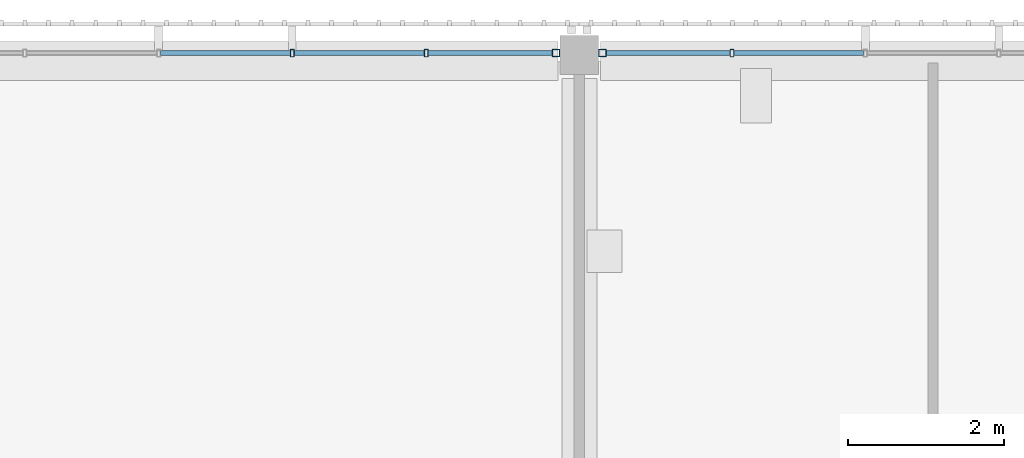
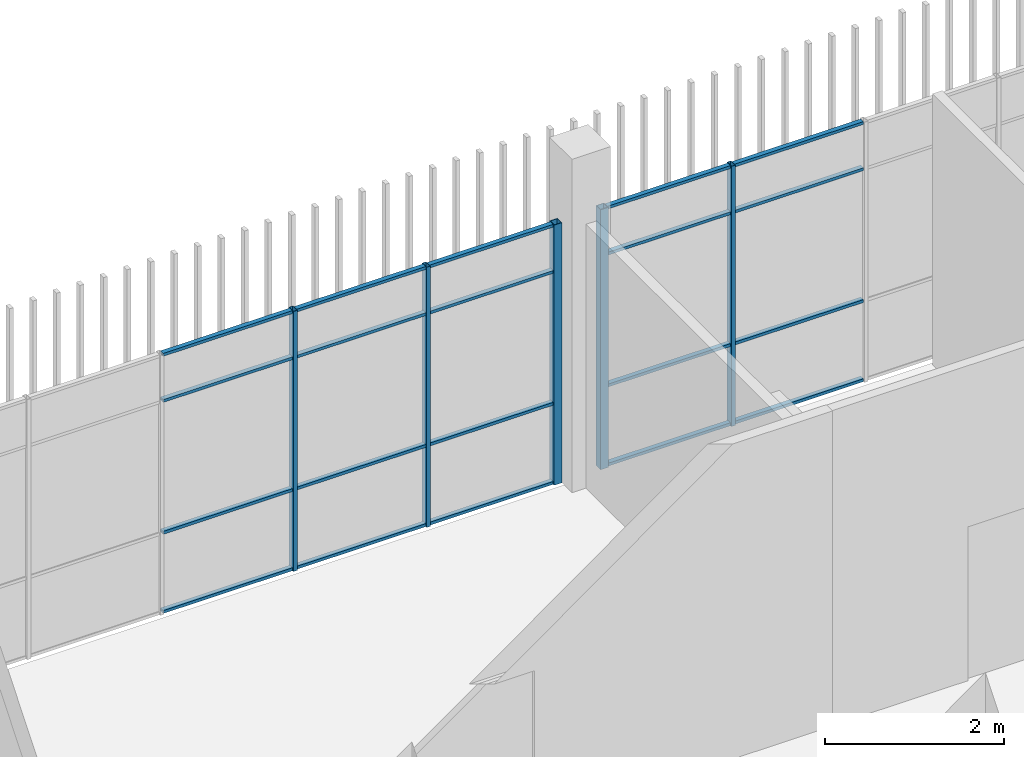
# One storey, part 50 of 139: 25 members, 2 elements without a shape of their own.
"""IFC4 building model written with IfcOpenShell, lengths in metres."""

from ifc_helpers import new_model, si_unit, direction, frame, origin, origin_2d, place, context, subcontext, project, spatial, hollow_rectangle, extrude, material, layer, layer_set, material_profile, profile_set, type_object, element, aggregate, save


model = new_model("IFC4")

# Units and contexts
model_context = context("Model", 3, precision=1e-05, world=origin(), true_north=direction((0.0, 1.0)))
body_context = subcontext(model_context, "Body", "Model", "MODEL_VIEW")
ifc_project = project(units=[si_unit("LENGTHUNIT", "METRE"), si_unit("AREAUNIT", "SQUARE_METRE"), si_unit("VOLUMEUNIT", "CUBIC_METRE"), si_unit("PLANEANGLEUNIT", "RADIAN"), si_unit("MASSUNIT", "GRAM", prefix="KILO")], contexts=[model_context])

# Site, building, storey
site_placement = place(None, origin())
site = spatial("IfcSite", under=ifc_project, at=site_placement, CompositionType="ELEMENT")
building_placement = place(site_placement, origin())
building = spatial("IfcBuilding", under=site, at=building_placement, Name="Shirokan Park Arena", CompositionType="ELEMENT")
storey_placement = place(building_placement, frame((0.0, 0.0, 15.469970703125)))
storey = spatial("IfcBuildingStorey", under=building, at=storey_placement, Name="L03", CompositionType="ELEMENT", Elevation=15.469970703125)

# Curtain wall, member
ifc_material_1 = material(Name="Steel and glass curtain wall", Category="steel")
ifc_layer = layer(ifc_material_1, 0.10009765625)
ifc_layer_set = layer_set([ifc_layer], Name="Steel and glass curtain wall 100 mm")
curtain_wall_type = type_object("IfcCurtainWallType", Name="Curtain wall sheltered bay 100", PredefinedType="NOTDEFINED", material=ifc_layer_set)
curtain_wall_1_placement = place(storey_placement, origin())
curtain_wall_1 = element("IfcCurtainWall", 1, at=curtain_wall_1_placement, inside=storey, type_object=curtain_wall_type, Name="Curtain wall north bay 5 L03", PredefinedType="NOTDEFINED")
ifc_material_2 = material(Name="Steel S355", Category="steel")
ifc_material_profile_1 = material_profile(ifc_material_2, hollow_rectangle(XDim=0.10009765625, YDim=0.10009765625, WallThickness=0.006103515625, at=origin_2d()), Name="RHS 100x100x6")
ifc_profile_set_1 = profile_set([ifc_material_profile_1], Name="Steel S355")
member_type_1 = type_object("IfcMemberType", Name="Mullion RHS 100x100x6", PredefinedType="MULLION", material=ifc_profile_set_1)
member_1_placement = place(storey_placement, frame((100.39990234375, 109.300048828125, 0.0), z_axis=(0.0, 0.0, 1.0), x_axis=(0.0, -1.0, 0.0)))
member_1 = element("IfcMember", 2, at=member_1_placement, type_object=member_type_1, Name="CW2 mullion 6", PredefinedType="MULLION", context=body_context, shape_type="SweptSolid", body=[
    extrude(hollow_rectangle(XDim=0.10009765625, YDim=0.10009765625, WallThickness=0.006103515625, at=origin_2d()), origin(), (0.0, 0.0, 1.0), 3.550048828125),
])

curtain_wall_2_placement = place(storey_placement, origin())
curtain_wall_2 = element("IfcCurtainWall", 3, at=curtain_wall_2_placement, inside=storey, type_object=curtain_wall_type, Name="Curtain wall north bay 6 L03", PredefinedType="NOTDEFINED")
member_2_placement = place(storey_placement, frame((99.800048828125, 109.300048828125, 0.0), z_axis=(0.0, 0.0, 1.0), x_axis=(0.0, -1.0, 0.0)))
member_2 = element("IfcMember", 4, at=member_2_placement, type_object=member_type_1, Name="CW2 mullion 1", PredefinedType="MULLION", context=body_context, shape_type="SweptSolid", body=[
    extrude(hollow_rectangle(XDim=0.10009765625, YDim=0.10009765625, WallThickness=0.006103515625, at=origin_2d()), origin(), (0.0, 0.0, 1.0), 3.550048828125),
])

# Member
ifc_material_profile_2 = material_profile(ifc_material_2, hollow_rectangle(XDim=0.10009765625, YDim=0.050048828125, WallThickness=0.0048828125, at=origin_2d()), Name="RHS 100x50x5")
ifc_profile_set_2 = profile_set([ifc_material_profile_2], Name="Steel S355")
member_type_2 = type_object("IfcMemberType", Name="Mullion RHS 100x50x5", PredefinedType="MULLION", material=ifc_profile_set_2)
member_3_placement = place(storey_placement, frame((102.06494140625, 109.300048828125, 0.0), z_axis=(0.0, 0.0, 1.0), x_axis=(0.0, -1.0, 0.0)))
member_3 = element("IfcMember", 5, at=member_3_placement, type_object=member_type_2, Name="CW2 mullion 5", PredefinedType="MULLION", context=body_context, shape_type="SweptSolid", body=[
    extrude(hollow_rectangle(XDim=0.10009765625, YDim=0.050048828125, WallThickness=0.0048828125, at=origin_2d()), origin(), (0.0, 0.0, 1.0), 3.550048828125),
])

member_4_placement = place(storey_placement, frame((98.1298828125, 109.300048828125, 0.0), z_axis=(0.0, 0.0, 1.0), x_axis=(0.0, -1.0, 0.0)))
member_4 = element("IfcMember", 6, at=member_4_placement, type_object=member_type_2, Name="CW2 mullion 2", PredefinedType="MULLION", context=body_context, shape_type="SweptSolid", body=[
    extrude(hollow_rectangle(XDim=0.10009765625, YDim=0.050048828125, WallThickness=0.0048828125, at=origin_2d()), origin(), (0.0, 0.0, 1.0), 3.550048828125),
])

member_5_placement = place(storey_placement, frame((96.409912109375, 109.300048828125, 0.0), z_axis=(0.0, 0.0, 1.0), x_axis=(0.0, -1.0, 0.0)))
member_5 = element("IfcMember", 7, at=member_5_placement, type_object=member_type_2, Name="CW2 mullion 3", PredefinedType="MULLION", context=body_context, shape_type="SweptSolid", body=[
    extrude(hollow_rectangle(XDim=0.10009765625, YDim=0.050048828125, WallThickness=0.0048828125, at=origin_2d()), origin(), (0.0, 0.0, 1.0), 3.550048828125),
])

ifc_material_profile_3 = material_profile(ifc_material_2, hollow_rectangle(XDim=0.06005859375, YDim=0.0400390625, WallThickness=0.00390625, at=origin_2d()), Name="RHS 60x40x4")
ifc_profile_set_3 = profile_set([ifc_material_profile_3], Name="Steel S355")
member_type_3 = type_object("IfcMemberType", Name="Transom RHS 60x40x4", PredefinedType="MULLION", material=ifc_profile_set_3)
member_6_placement = place(storey_placement, frame((103.7548828125, 109.300048828125, 0.02001953125), z_axis=(-1.0, 0.0, 0.0), x_axis=(0.0, -1.0, 0.0)))
member_6 = element("IfcMember", 8, at=member_6_placement, type_object=member_type_3, Name="CW2 transom 4.1", PredefinedType="MULLION", context=body_context, shape_type="SweptSolid", body=[
    extrude(hollow_rectangle(XDim=0.06005859375, YDim=0.0400390625, WallThickness=0.00390625, at=origin_2d()), origin(), (0.0, 0.0, 1.0), 1.664794921875),
])

member_7_placement = place(storey_placement, frame((103.7548828125, 109.300048828125, 1.10009765625), z_axis=(-1.0, 0.0, 0.0), x_axis=(0.0, -1.0, 0.0)))
member_7 = element("IfcMember", 9, at=member_7_placement, type_object=member_type_3, Name="CW2 transom 4.2", PredefinedType="MULLION", context=body_context, shape_type="SweptSolid", body=[
    extrude(hollow_rectangle(XDim=0.06005859375, YDim=0.0400390625, WallThickness=0.00390625, at=origin_2d()), origin(), (0.0, 0.0, 1.0), 1.664794921875),
])

member_8_placement = place(storey_placement, frame((103.7548828125, 109.300048828125, 2.900146484375), z_axis=(-1.0, 0.0, 0.0), x_axis=(0.0, -1.0, 0.0)))
member_8 = element("IfcMember", 10, at=member_8_placement, type_object=member_type_3, Name="CW2 transom 4.3", PredefinedType="MULLION", context=body_context, shape_type="SweptSolid", body=[
    extrude(hollow_rectangle(XDim=0.06005859375, YDim=0.0400390625, WallThickness=0.00390625, at=origin_2d()), origin(), (0.0, 0.0, 1.0), 1.664794921875),
])

member_9_placement = place(storey_placement, frame((103.7548828125, 109.300048828125, 3.530029296875), z_axis=(-1.0, 0.0, 0.0), x_axis=(0.0, -1.0, 0.0)))
member_9 = element("IfcMember", 11, at=member_9_placement, type_object=member_type_3, Name="CW2 transom 4.4", PredefinedType="MULLION", context=body_context, shape_type="SweptSolid", body=[
    extrude(hollow_rectangle(XDim=0.06005859375, YDim=0.0400390625, WallThickness=0.00390625, at=origin_2d()), origin(), (0.0, 0.0, 1.0), 1.664794921875),
])

member_10_placement = place(storey_placement, frame((102.0400390625, 109.300048828125, 0.02001953125), z_axis=(-1.0, 0.0, 0.0), x_axis=(0.0, -1.0, 0.0)))
member_10 = element("IfcMember", 12, at=member_10_placement, type_object=member_type_3, Name="CW2 transom 5.1", PredefinedType="MULLION", context=body_context, shape_type="SweptSolid", body=[
    extrude(hollow_rectangle(XDim=0.06005859375, YDim=0.0400390625, WallThickness=0.00390625, at=origin_2d()), origin(), (0.0, 0.0, 1.0), 1.590087890625),
])

member_11_placement = place(storey_placement, frame((102.0400390625, 109.300048828125, 1.10009765625), z_axis=(-1.0, 0.0, 0.0), x_axis=(0.0, -1.0, 0.0)))
member_11 = element("IfcMember", 13, at=member_11_placement, type_object=member_type_3, Name="CW2 transom 5.2", PredefinedType="MULLION", context=body_context, shape_type="SweptSolid", body=[
    extrude(hollow_rectangle(XDim=0.06005859375, YDim=0.0400390625, WallThickness=0.00390625, at=origin_2d()), origin(), (0.0, 0.0, 1.0), 1.590087890625),
])

member_12_placement = place(storey_placement, frame((102.0400390625, 109.300048828125, 2.900146484375), z_axis=(-1.0, 0.0, 0.0), x_axis=(0.0, -1.0, 0.0)))
member_12 = element("IfcMember", 14, at=member_12_placement, type_object=member_type_3, Name="CW2 transom 5.3", PredefinedType="MULLION", context=body_context, shape_type="SweptSolid", body=[
    extrude(hollow_rectangle(XDim=0.06005859375, YDim=0.0400390625, WallThickness=0.00390625, at=origin_2d()), origin(), (0.0, 0.0, 1.0), 1.590087890625),
])

member_13_placement = place(storey_placement, frame((102.0400390625, 109.300048828125, 3.530029296875), z_axis=(-1.0, 0.0, 0.0), x_axis=(0.0, -1.0, 0.0)))
member_13 = element("IfcMember", 15, at=member_13_placement, type_object=member_type_3, Name="CW2 transom 5.4", PredefinedType="MULLION", context=body_context, shape_type="SweptSolid", body=[
    extrude(hollow_rectangle(XDim=0.06005859375, YDim=0.0400390625, WallThickness=0.00390625, at=origin_2d()), origin(), (0.0, 0.0, 1.0), 1.590087890625),
])

aggregate(curtain_wall_1, [member_3, member_1, member_6, member_7, member_8, member_9, member_10, member_11, member_12, member_13])

member_14_placement = place(storey_placement, frame((99.75, 109.300048828125, 0.02001953125), z_axis=(-1.0, 0.0, 0.0), x_axis=(0.0, -1.0, 0.0)))
member_14 = element("IfcMember", 16, at=member_14_placement, type_object=member_type_3, Name="CW2 transom 1.1", PredefinedType="MULLION", context=body_context, shape_type="SweptSolid", body=[
    extrude(hollow_rectangle(XDim=0.06005859375, YDim=0.0400390625, WallThickness=0.00390625, at=origin_2d()), origin(), (0.0, 0.0, 1.0), 1.594970703125),
])

member_15_placement = place(storey_placement, frame((99.75, 109.300048828125, 1.10009765625), z_axis=(-1.0, 0.0, 0.0), x_axis=(0.0, -1.0, 0.0)))
member_15 = element("IfcMember", 17, at=member_15_placement, type_object=member_type_3, Name="CW2 transom 1.2", PredefinedType="MULLION", context=body_context, shape_type="SweptSolid", body=[
    extrude(hollow_rectangle(XDim=0.06005859375, YDim=0.0400390625, WallThickness=0.00390625, at=origin_2d()), origin(), (0.0, 0.0, 1.0), 1.594970703125),
])

member_16_placement = place(storey_placement, frame((99.75, 109.300048828125, 2.900146484375), z_axis=(-1.0, 0.0, 0.0), x_axis=(0.0, -1.0, 0.0)))
member_16 = element("IfcMember", 18, at=member_16_placement, type_object=member_type_3, Name="CW2 transom 1.3", PredefinedType="MULLION", context=body_context, shape_type="SweptSolid", body=[
    extrude(hollow_rectangle(XDim=0.06005859375, YDim=0.0400390625, WallThickness=0.00390625, at=origin_2d()), origin(), (0.0, 0.0, 1.0), 1.594970703125),
])

member_17_placement = place(storey_placement, frame((99.75, 109.300048828125, 3.530029296875), z_axis=(-1.0, 0.0, 0.0), x_axis=(0.0, -1.0, 0.0)))
member_17 = element("IfcMember", 19, at=member_17_placement, type_object=member_type_3, Name="CW2 transom 1.4", PredefinedType="MULLION", context=body_context, shape_type="SweptSolid", body=[
    extrude(hollow_rectangle(XDim=0.06005859375, YDim=0.0400390625, WallThickness=0.00390625, at=origin_2d()), origin(), (0.0, 0.0, 1.0), 1.594970703125),
])

member_18_placement = place(storey_placement, frame((98.10498046875, 109.300048828125, 0.02001953125), z_axis=(-1.0, 0.0, 0.0), x_axis=(0.0, -1.0, 0.0)))
member_18 = element("IfcMember", 20, at=member_18_placement, type_object=member_type_3, Name="CW2 transom 2.1", PredefinedType="MULLION", context=body_context, shape_type="SweptSolid", body=[
    extrude(hollow_rectangle(XDim=0.06005859375, YDim=0.0400390625, WallThickness=0.00390625, at=origin_2d()), origin(), (0.0, 0.0, 1.0), 1.669921875),
])

member_19_placement = place(storey_placement, frame((98.10498046875, 109.300048828125, 1.10009765625), z_axis=(-1.0, 0.0, 0.0), x_axis=(0.0, -1.0, 0.0)))
member_19 = element("IfcMember", 21, at=member_19_placement, type_object=member_type_3, Name="CW2 transom 2.2", PredefinedType="MULLION", context=body_context, shape_type="SweptSolid", body=[
    extrude(hollow_rectangle(XDim=0.06005859375, YDim=0.0400390625, WallThickness=0.00390625, at=origin_2d()), origin(), (0.0, 0.0, 1.0), 1.669921875),
])

member_20_placement = place(storey_placement, frame((98.10498046875, 109.300048828125, 2.900146484375), z_axis=(-1.0, 0.0, 0.0), x_axis=(0.0, -1.0, 0.0)))
member_20 = element("IfcMember", 22, at=member_20_placement, type_object=member_type_3, Name="CW2 transom 2.3", PredefinedType="MULLION", context=body_context, shape_type="SweptSolid", body=[
    extrude(hollow_rectangle(XDim=0.06005859375, YDim=0.0400390625, WallThickness=0.00390625, at=origin_2d()), origin(), (0.0, 0.0, 1.0), 1.669921875),
])

member_21_placement = place(storey_placement, frame((98.10498046875, 109.300048828125, 3.530029296875), z_axis=(-1.0, 0.0, 0.0), x_axis=(0.0, -1.0, 0.0)))
member_21 = element("IfcMember", 23, at=member_21_placement, type_object=member_type_3, Name="CW2 transom 2.4", PredefinedType="MULLION", context=body_context, shape_type="SweptSolid", body=[
    extrude(hollow_rectangle(XDim=0.06005859375, YDim=0.0400390625, WallThickness=0.00390625, at=origin_2d()), origin(), (0.0, 0.0, 1.0), 1.669921875),
])

member_22_placement = place(storey_placement, frame((96.385009765625, 109.300048828125, 0.02001953125), z_axis=(-1.0, 0.0, 0.0), x_axis=(0.0, -1.0, 0.0)))
member_22 = element("IfcMember", 24, at=member_22_placement, type_object=member_type_3, Name="CW2 transom 3.1", PredefinedType="MULLION", context=body_context, shape_type="SweptSolid", body=[
    extrude(hollow_rectangle(XDim=0.06005859375, YDim=0.0400390625, WallThickness=0.00390625, at=origin_2d()), origin(), (0.0, 0.0, 1.0), 1.669921875),
])

member_23_placement = place(storey_placement, frame((96.385009765625, 109.300048828125, 1.10009765625), z_axis=(-1.0, 0.0, 0.0), x_axis=(0.0, -1.0, 0.0)))
member_23 = element("IfcMember", 25, at=member_23_placement, type_object=member_type_3, Name="CW2 transom 3.2", PredefinedType="MULLION", context=body_context, shape_type="SweptSolid", body=[
    extrude(hollow_rectangle(XDim=0.06005859375, YDim=0.0400390625, WallThickness=0.00390625, at=origin_2d()), origin(), (0.0, 0.0, 1.0), 1.669921875),
])

member_24_placement = place(storey_placement, frame((96.385009765625, 109.300048828125, 2.900146484375), z_axis=(-1.0, 0.0, 0.0), x_axis=(0.0, -1.0, 0.0)))
member_24 = element("IfcMember", 26, at=member_24_placement, type_object=member_type_3, Name="CW2 transom 3.3", PredefinedType="MULLION", context=body_context, shape_type="SweptSolid", body=[
    extrude(hollow_rectangle(XDim=0.06005859375, YDim=0.0400390625, WallThickness=0.00390625, at=origin_2d()), origin(), (0.0, 0.0, 1.0), 1.669921875),
])

member_25_placement = place(storey_placement, frame((96.385009765625, 109.300048828125, 3.530029296875), z_axis=(-1.0, 0.0, 0.0), x_axis=(0.0, -1.0, 0.0)))
member_25 = element("IfcMember", 27, at=member_25_placement, type_object=member_type_3, Name="CW2 transom 3.4", PredefinedType="MULLION", context=body_context, shape_type="SweptSolid", body=[
    extrude(hollow_rectangle(XDim=0.06005859375, YDim=0.0400390625, WallThickness=0.00390625, at=origin_2d()), origin(), (0.0, 0.0, 1.0), 1.669921875),
])

aggregate(curtain_wall_2, [member_2, member_4, member_5, member_14, member_15, member_16, member_17, member_18, member_19, member_20, member_21, member_22, member_23, member_24, member_25])

save(model, "model.ifc")
